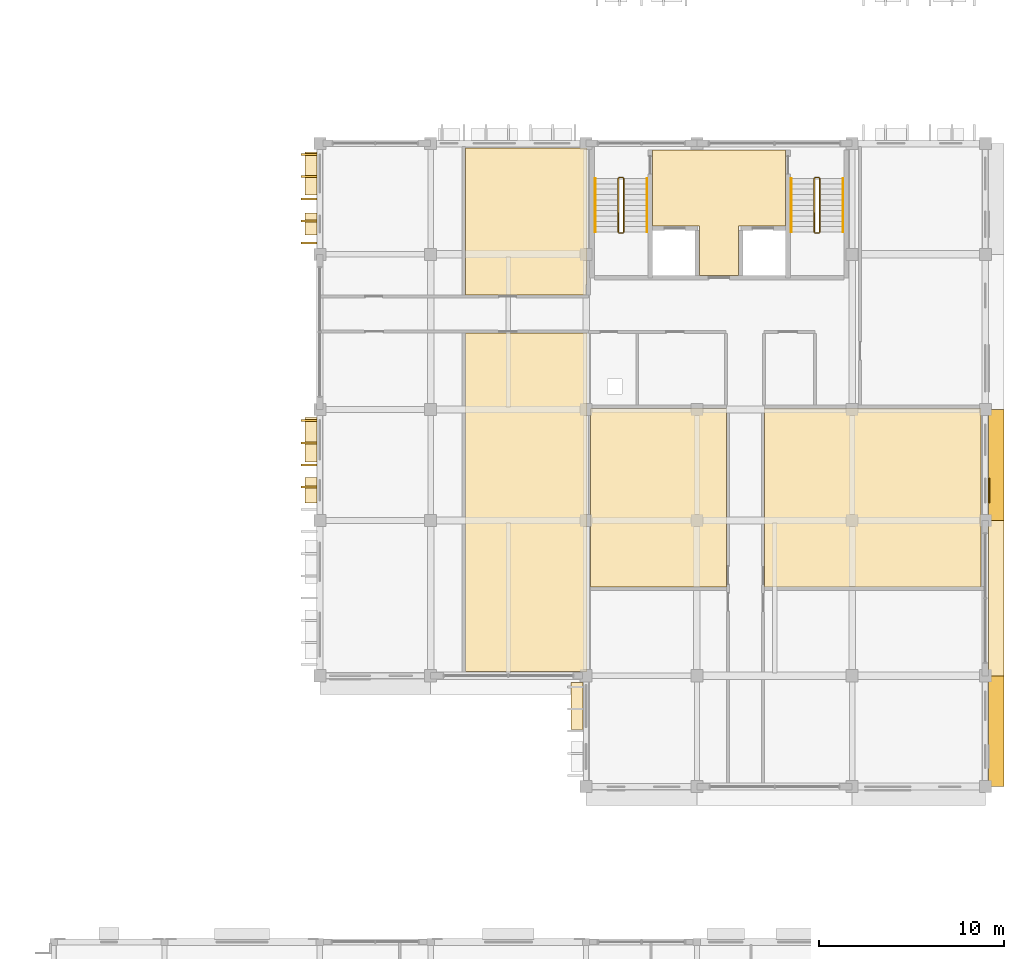
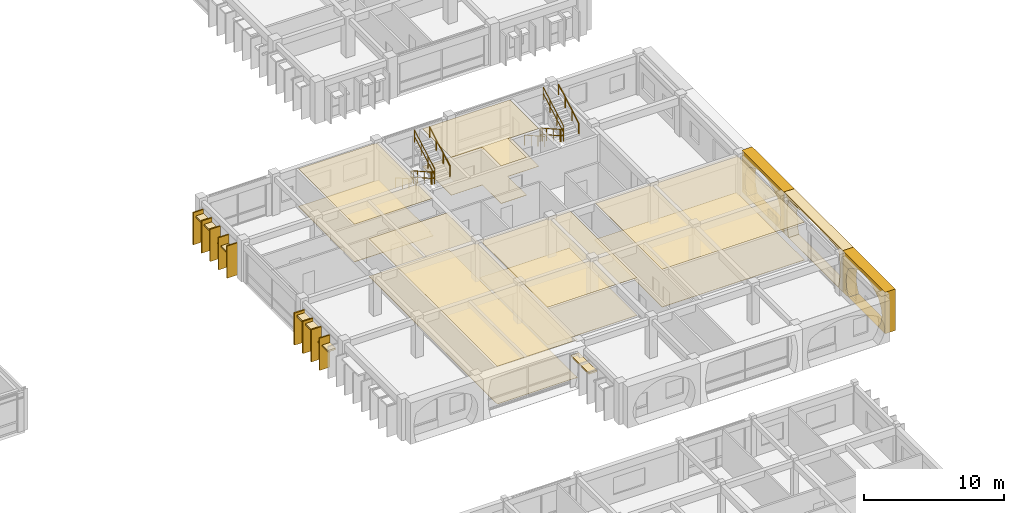
# One storey, part 85 of 88: 28 coverings, 12 railings.
"""IFC4 building model written with IfcOpenShell, lengths in metres."""

from ifc_helpers import new_model, si_unit, direction, frame, origin, origin_2d, place, context, subcontext, project, spatial, polyline, rectangle, outline, extrude, material, layer, layer_set, type_object, element, save


model = new_model("IFC4")

# Units and contexts
model_context = context("Model", 3, precision=1e-05, world=origin(), true_north=direction((0.0, 1.0)))
body_context = subcontext(model_context, "Body", "Model", "MODEL_VIEW")
ifc_project = project(units=[si_unit("LENGTHUNIT", "METRE"), si_unit("AREAUNIT", "SQUARE_METRE"), si_unit("VOLUMEUNIT", "CUBIC_METRE"), si_unit("PLANEANGLEUNIT", "RADIAN"), si_unit("MASSUNIT", "GRAM", prefix="KILO"), si_unit("THERMODYNAMICTEMPERATUREUNIT", "KELVIN")], contexts=[model_context])

# Site, building, storey
site_placement = place(None, origin())
site = spatial("IfcSite", under=ifc_project, at=site_placement, CompositionType="ELEMENT")
building_placement = place(site_placement, origin())
building = spatial("IfcBuilding", under=site, at=building_placement, Name="Thalorik Housing Commons", CompositionType="ELEMENT")
storey_placement = place(building_placement, frame((0.0, 0.0, 4.5)))
storey = spatial("IfcBuildingStorey", under=building, at=storey_placement, Name="L01", CompositionType="ELEMENT", Elevation=4.5)

# Coverings
ifc_material_1 = material(Name="Precast concrete C40/50", Category="concrete")
ifc_layer_1 = layer(ifc_material_1, 0.85009765625, Name="Precast concrete C40/50", Category="concrete")
ifc_layer_set_1 = layer_set([ifc_layer_1], Name="Precast concrete C40/50")
covering_type_1 = type_object("IfcCoveringType", Name="ARC-CLD-CUSH-850", PredefinedType="CLADDING", material=ifc_layer_set_1)
covering_1_placement = place(storey_placement, frame((174.5849609375, 40.199951171875, 0.0), z_axis=(0.0, 0.0, 1.0), x_axis=(0.0, 1.0, 0.0)))
element("IfcCovering", 1, at=covering_1_placement, inside=storey, type_object=covering_type_1, Name="L01 White Precast Curved Cushion Bay Frame 4588", PredefinedType="CLADDING", context=body_context, shape_type="SweptSolid", body=[
    extrude(outline(polyline([(-3.0, 0.0), (3.0, 0.0), (3.0, 3.60009765625), (-3.0, 3.60009765625), (-3.0, 0.0)]), holes=[polyline([(2.2099609375, 0.02490234375), (2.39892578125, 0.4375), (2.51220703125, 0.85009765625), (2.550048828125, 1.262451171875), (2.51220703125, 1.675048828125), (2.39892578125, 2.08740234375), (2.2099609375, 2.5), (1.85546875, 2.755615234375), (1.500732421875, 2.956298828125), (1.146240234375, 3.119140625), (0.791748046875, 3.239990234375), (0.43701171875, 3.314697265625), (0.08251953125, 3.340087890625), (-0.272216796875, 3.314697265625), (-0.626708984375, 3.239990234375), (-0.981201171875, 3.119140625), (-1.335693359375, 2.956298828125), (-1.6904296875, 2.755615234375), (-2.044921875, 2.5), (-2.32568359375, 2.08740234375), (-2.493896484375, 1.675048828125), (-2.550048828125, 1.262451171875), (-2.493896484375, 0.85009765625), (-2.32568359375, 0.4375), (-2.044921875, 0.02490234375), (2.2099609375, 0.02490234375)])]), frame((0.0, 0.425048828125, 0.0), z_axis=(0.0, -1.0, 0.0), x_axis=(1.0, 0.0, 0.0)), (0.0, 0.0, 1.0), 0.85009765625),
])
covering_2_placement = place(storey_placement, frame((174.5849609375, 47.39990234375, 0.0), z_axis=(0.0, 0.0, 1.0), x_axis=(0.0, 1.0, 0.0)))
element("IfcCovering", 2, at=covering_2_placement, inside=storey, type_object=covering_type_1, Name="L01 White Precast Curved Cushion Bay Frame 4590", PredefinedType="CLADDING", context=body_context, shape_type="SweptSolid", body=[
    extrude(outline(polyline([(-4.199951171875, 0.0), (4.199951171875, 0.0), (4.199951171875, 3.60009765625), (-4.199951171875, 3.60009765625), (-4.199951171875, 0.0)]), holes=[polyline([(3.550048828125, 0.02490234375), (3.687255859375, 0.57421875), (3.76953125, 1.123291015625), (3.797119140625, 1.672607421875), (3.76953125, 2.2216796875), (3.687255859375, 2.770751953125), (3.550048828125, 3.320068359375), (2.958251953125, 3.362548828125), (2.36669921875, 3.39599609375), (1.77490234375, 3.423095703125), (1.183349609375, 3.443359375), (0.591796875, 3.455810546875), (0.0, 3.4599609375), (-0.591796875, 3.455810546875), (-1.183349609375, 3.443359375), (-1.77490234375, 3.423095703125), (-2.36669921875, 3.39599609375), (-2.958251953125, 3.362548828125), (-3.550048828125, 3.320068359375), (-3.687255859375, 2.770751953125), (-3.76953125, 2.2216796875), (-3.797119140625, 1.672607421875), (-3.76953125, 1.123291015625), (-3.687255859375, 0.57421875), (-3.550048828125, 0.02490234375), (3.550048828125, 0.02490234375)])]), frame((0.0, 0.425048828125, 0.0), z_axis=(0.0, -1.0, 0.0), x_axis=(1.0, 0.0, 0.0)), (0.0, 0.0, 1.0), 0.85009765625),
])
covering_3_placement = place(storey_placement, frame((174.5849609375, 54.60009765625, 0.0), z_axis=(0.0, 0.0, 1.0), x_axis=(0.0, 1.0, 0.0)))
element("IfcCovering", 3, at=covering_3_placement, inside=storey, type_object=covering_type_1, Name="L01 White Precast Curved Cushion Bay Frame 4591", PredefinedType="CLADDING", context=body_context, shape_type="SweptSolid", body=[
    extrude(outline(polyline([(-3.0, 0.0), (3.0, 0.0), (3.0, 3.60009765625), (-3.0, 3.60009765625), (-3.0, 0.0)]), holes=[polyline([(2.260009765625, 0.02490234375), (2.421142578125, 0.4375), (2.517822265625, 0.85009765625), (2.550048828125, 1.262451171875), (2.517822265625, 1.675048828125), (2.421142578125, 2.08740234375), (2.260009765625, 2.5), (1.898193359375, 2.755615234375), (1.53662109375, 2.956298828125), (1.175048828125, 3.119140625), (0.813232421875, 3.239990234375), (0.45166015625, 3.314697265625), (0.090087890625, 3.340087890625), (-0.271728515625, 3.314697265625), (-0.63330078125, 3.239990234375), (-0.9951171875, 3.119140625), (-1.356689453125, 2.956298828125), (-1.71826171875, 2.755615234375), (-2.080078125, 2.5), (-2.341064453125, 2.08740234375), (-2.497802734375, 1.675048828125), (-2.550048828125, 1.262451171875), (-2.497802734375, 0.85009765625), (-2.341064453125, 0.4375), (-2.080078125, 0.02490234375), (2.260009765625, 0.02490234375)])]), frame((0.0, 0.425048828125, 0.0), z_axis=(0.0, -1.0, 0.0), x_axis=(1.0, 0.0, 0.0)), (0.0, 0.0, 1.0), 0.85009765625),
])
ifc_layer_2 = layer(ifc_material_1, 0.85009765625, Name="Precast concrete C40/50", Category="concrete")
ifc_layer_set_2 = layer_set([ifc_layer_2], Name="Precast concrete C40/50")
covering_type_2 = type_object("IfcCoveringType", Name="ARC-CLD-FIN-850", PredefinedType="CLADDING", material=ifc_layer_set_2)
for number, where, z_axis, x_axis, name in (
    (4, (137.4150390625, 71.39990234375, 0.0400390625), (0.0, 0.0, 1.0), (0.0, -1.0, 0.0), "L01 Courtyard Precast Vertical Brise-Soleil Fin 4550"),
    (5, (137.4150390625, 70.199951171875, 0.0400390625), (0.0, 0.0, 1.0), (0.0, -1.0, 0.0), "L01 Courtyard Precast Vertical Brise-Soleil Fin 4551"),
    (6, (137.4150390625, 69.0, 0.0400390625), (0.0, 0.0, 1.0), (0.0, -1.0, 0.0), "L01 Courtyard Precast Vertical Brise-Soleil Fin 4552"),
    (7, (137.4150390625, 67.800048828125, 0.0400390625), (0.0, 0.0, 1.0), (0.0, -1.0, 0.0), "L01 Courtyard Precast Vertical Brise-Soleil Fin 4553"),
    (8, (137.4150390625, 66.60009765625, 0.0400390625), (0.0, 0.0, 1.0), (0.0, -1.0, 0.0), "L01 Courtyard Precast Vertical Brise-Soleil Fin 4554"),
    (9, (137.4150390625, 57.0, 0.0400390625), (0.0, 0.0, 1.0), (0.0, -1.0, 0.0), "L01 Courtyard Precast Vertical Brise-Soleil Fin 4557"),
    (10, (137.4150390625, 55.800048828125, 0.0400390625), (0.0, 0.0, 1.0), (0.0, -1.0, 0.0), "L01 Courtyard Precast Vertical Brise-Soleil Fin 4558"),
    (11, (137.4150390625, 54.60009765625, 0.0400390625), (0.0, 0.0, 1.0), (0.0, -1.0, 0.0), "L01 Courtyard Precast Vertical Brise-Soleil Fin 4559"),
    (12, (137.4150390625, 53.39990234375, 0.0400390625), (0.0, 0.0, 1.0), (0.0, -1.0, 0.0), "L01 Courtyard Precast Vertical Brise-Soleil Fin 4560"),
):
    element("IfcCovering", number, at=place(storey_placement, frame(where, z_axis=z_axis, x_axis=x_axis)), inside=storey, type_object=covering_type_2, Name=name, PredefinedType="CLADDING", context=body_context, shape_type="SweptSolid", body=[
        extrude(rectangle(XDim=0.110107421875, YDim=0.85009765625, at=origin_2d()), origin(), (0.0, 0.0, 1.0), 2.794921875),
    ])
ifc_layer_3 = layer(ifc_material_1, 0.64990234375, Name="Precast concrete C40/50", Category="concrete")
ifc_layer_set_3 = layer_set([ifc_layer_3], Name="Precast concrete C40/50")
covering_type_3 = type_object("IfcCoveringType", Name="ARC-CLD-HOOD-650", PredefinedType="CLADDING", material=ifc_layer_set_3)
covering_4_placement = place(storey_placement, frame((137.514892578125, 70.3701171875, 2.33984375), z_axis=(0.0, 0.0, 1.0), x_axis=(0.0, -1.0, 0.0)))
element("IfcCovering", 13, at=covering_4_placement, inside=storey, type_object=covering_type_3, Name="L01 Courtyard Precast Window Sun-Hood 4555", PredefinedType="CLADDING", context=body_context, shape_type="SweptSolid", body=[
    extrude(rectangle(XDim=2.340087890625, YDim=0.64990234375, at=origin_2d()), origin(), (0.0, 0.0, 1.0), 0.139892578125),
])
covering_5_placement = place(storey_placement, frame((137.514892578125, 67.6298828125, 1.93994140625), z_axis=(0.0, 0.0, 1.0), x_axis=(0.0, -1.0, 0.0)))
element("IfcCovering", 14, at=covering_5_placement, inside=storey, type_object=covering_type_3, Name="L01 Courtyard Precast Window Sun-Hood 4556", PredefinedType="CLADDING", context=body_context, shape_type="SweptSolid", body=[
    extrude(rectangle(XDim=1.18994140625, YDim=0.64990234375, at=origin_2d()), origin(), (0.0, 0.0, 1.0), 0.139892578125),
])
covering_6_placement = place(storey_placement, frame((137.514892578125, 55.969970703125, 2.43994140625), z_axis=(0.0, 0.0, 1.0), x_axis=(0.0, -1.0, 0.0)))
element("IfcCovering", 15, at=covering_6_placement, inside=storey, type_object=covering_type_3, Name="L01 Courtyard Precast Window Sun-Hood 4562", PredefinedType="CLADDING", context=body_context, shape_type="SweptSolid", body=[
    extrude(rectangle(XDim=2.389892578125, YDim=0.64990234375, at=origin_2d()), origin(), (0.0, 0.0, 1.0), 0.139892578125),
])
covering_7_placement = place(storey_placement, frame((137.514892578125, 53.22998046875, 2.0400390625), z_axis=(0.0, 0.0, 1.0), x_axis=(0.0, -1.0, 0.0)))
element("IfcCovering", 16, at=covering_7_placement, inside=storey, type_object=covering_type_3, Name="L01 Courtyard Precast Window Sun-Hood 4563", PredefinedType="CLADDING", context=body_context, shape_type="SweptSolid", body=[
    extrude(rectangle(XDim=1.389892578125, YDim=0.64990234375, at=origin_2d()), origin(), (0.0, 0.0, 1.0), 0.139892578125),
])
covering_8_placement = place(storey_placement, frame((151.9150390625, 41.570068359375, 2.490234375), z_axis=(0.0, 0.0, 1.0), x_axis=(0.0, -1.0, 0.0)))
element("IfcCovering", 17, at=covering_8_placement, inside=storey, type_object=covering_type_3, Name="L01 Courtyard Precast Window Sun-Hood 4581", PredefinedType="CLADDING", context=body_context, shape_type="SweptSolid", body=[
    extrude(rectangle(XDim=2.5400390625, YDim=0.64990234375, at=origin_2d()), origin(), (0.0, 0.0, 1.0), 0.139892578125),
])
ifc_material_2 = material(Name="Mineral ochre architectural terracotta panel", Category="masonry")
ifc_layer_4 = layer(ifc_material_2, 0.06494140625, Name="Mineral ochre architectural terracotta panel", Category="masonry")
ifc_layer_set_4 = layer_set([ifc_layer_4], Name="Mineral ochre architectural terracotta panel")
covering_type_4 = type_object("IfcCoveringType", Name="ARC-CLD-YEL-65", PredefinedType="CLADDING", material=ifc_layer_set_4)
covering_9_placement = place(storey_placement, frame((174.197509765625, 53.22998046875, 0.0498046875), z_axis=(0.0, 0.0, 1.0), x_axis=(0.0, 1.0, 0.0)))
element("IfcCovering", 18, at=covering_9_placement, inside=storey, type_object=covering_type_4, Name="L01 De Stijl Recessed Window Spandrel 4592", PredefinedType="CLADDING", context=body_context, shape_type="SweptSolid", body=[
    extrude(rectangle(XDim=1.320068359375, YDim=0.06494140625, at=origin_2d()), origin(), (0.0, 0.0, 1.0), 0.699951171875),
])
ifc_material_3 = material(Name="Slatted timber acoustic hall baffle ceiling", Category="wood")
ifc_layer_5 = layer(ifc_material_3, 0.02197265625, Name="Slatted timber acoustic hall baffle ceiling", Category="wood")
ifc_layer_set_5 = layer_set([ifc_layer_5], Name="Slatted timber acoustic hall baffle ceiling")
covering_type_5 = type_object("IfcCoveringType", Name="ARC-COV-CEIL-03", PredefinedType="CEILING", material=ifc_layer_set_5)
covering_10_placement = place(storey_placement, frame((0.0, 0.0, 3.278076171875)))
element("IfcCovering", 19, at=covering_10_placement, inside=storey, type_object=covering_type_5, Name="L01 Shared Sewing Workshop Suspended Ceiling", PredefinedType="CEILING", context=body_context, shape_type="SweptSolid", body=[
    extrude(outline(polyline([(160.0, 57.659912109375), (152.639892578125, 57.659912109375), (152.639892578125, 47.989990234375), (160.0, 47.989990234375), (160.0, 57.659912109375)])), origin(), (0.0, 0.0, 1.0), 0.02197265625),
])
ifc_material_4 = material(Name="Moisture-resistant gypsum bathroom ceiling")
ifc_layer_6 = layer(ifc_material_4, 0.02490234375, Name="Moisture-resistant gypsum bathroom ceiling")
ifc_layer_set_6 = layer_set([ifc_layer_6], Name="Moisture-resistant gypsum bathroom ceiling")
covering_type_6 = type_object("IfcCoveringType", Name="ARC-COV-CEIL-04", PredefinedType="CEILING", material=ifc_layer_set_6)
covering_11_placement = place(storey_placement, frame((0.0, 0.0, 3.27490234375)))
element("IfcCovering", 20, at=covering_11_placement, inside=storey, type_object=covering_type_6, Name="L01 Block D Lift Lobby Suspended Ceiling", PredefinedType="CEILING", context=body_context, shape_type="SweptSolid", body=[
    extrude(outline(polyline([(158.550048828125, 64.85009765625), (160.64990234375, 64.85009765625), (160.650146484375, 67.52001953125), (163.199951171875, 67.52001953125), (163.199951171875, 71.64990234375), (156.0, 71.64990234375), (156.0, 67.52001953125), (158.550048828125, 67.52001953125), (158.550048828125, 64.85009765625)])), origin(), (0.0, 0.0, 1.0), 0.025146484375),
])
covering_12_placement = place(storey_placement, frame((0.0, 0.0, 3.27490234375)))
element("IfcCovering", 21, at=covering_12_placement, inside=storey, type_object=covering_type_6, Name="L01 Ceramics and Print Workshop Suspended Ceiling", PredefinedType="CEILING", context=body_context, shape_type="SweptSolid", body=[
    extrude(outline(polyline([(173.760009765625, 57.659912109375), (162.06005859375, 57.659912109375), (162.06005859375, 47.989990234375), (173.760009765625, 47.989990234375), (173.760009765625, 57.659912109375)])), origin(), (0.0, 0.0, 1.0), 0.025146484375),
])
ifc_material_5 = material(Name="Fire-rated calcium silicate corridor ceiling")
ifc_layer_7 = layer(ifc_material_5, 0.030029296875, Name="Fire-rated calcium silicate corridor ceiling")
ifc_layer_set_7 = layer_set([ifc_layer_7], Name="Fire-rated calcium silicate corridor ceiling")
covering_type_7 = type_object("IfcCoveringType", Name="ARC-COV-CEIL-05", PredefinedType="CEILING", material=ifc_layer_set_7)
covering_13_placement = place(storey_placement, frame((0.0, 0.0, 3.27001953125)))
element("IfcCovering", 22, at=covering_13_placement, inside=storey, type_object=covering_type_7, Name="L01 Shared Sewing Workshop Suspended Ceiling", PredefinedType="CEILING", context=body_context, shape_type="SweptSolid", body=[
    extrude(outline(polyline([(152.4599609375, 43.43994140625), (152.4599609375, 61.739990234375), (145.8701171875, 61.739990234375), (145.8701171875, 43.43994140625), (152.4599609375, 43.43994140625)])), origin(), (0.0, 0.0, 1.0), 0.030029296875),
])
ifc_material_6 = material(Name="Acoustic wood-wool nursery ceiling panel", Category="wood")
ifc_layer_8 = layer(ifc_material_6, 0.035888671875, Name="Acoustic wood-wool nursery ceiling panel", Category="wood")
ifc_layer_set_8 = layer_set([ifc_layer_8], Name="Acoustic wood-wool nursery ceiling panel")
covering_type_8 = type_object("IfcCoveringType", Name="ARC-COV-CEIL-06", PredefinedType="CEILING", material=ifc_layer_set_8)
covering_14_placement = place(storey_placement, frame((0.0, 0.0, 3.263916015625)))
element("IfcCovering", 23, at=covering_14_placement, inside=storey, type_object=covering_type_8, Name="L01 Ceramics and Print Workshop Suspended Ceiling", PredefinedType="CEILING", context=body_context, shape_type="SweptSolid", body=[
    extrude(outline(polyline([(145.8701171875, 63.800048828125), (152.385009765625, 63.800048828125), (152.38671875, 64.357177734375), (152.400146484375, 64.364990234375), (152.4599609375, 64.364990234375), (152.4599609375, 71.760009765625), (145.8701171875, 71.760009765625), (145.8701171875, 63.800048828125)])), origin(), (0.0, 0.0, 1.0), 0.0361328125),
])
ifc_material_7 = material(Name="Cushioned natural linoleum nursery playroom flooring")
ifc_layer_9 = layer(ifc_material_7, 0.02001953125, Name="Cushioned natural linoleum nursery playroom flooring")
ifc_layer_set_9 = layer_set([ifc_layer_9], Name="Cushioned natural linoleum nursery playroom flooring")
covering_type_9 = type_object("IfcCoveringType", Name="ARC-COV-FLR-03", PredefinedType="FLOORING", material=ifc_layer_set_9)
covering_15_placement = place(storey_placement, origin())
element("IfcCovering", 24, at=covering_15_placement, inside=storey, type_object=covering_type_9, Name="L01 Shared Sewing Workshop Flooring", PredefinedType="FLOORING", context=body_context, shape_type="SweptSolid", body=[
    extrude(outline(polyline([(160.0, 57.659912109375), (152.639892578125, 57.659912109375), (152.639892578125, 47.989990234375), (160.0, 47.989990234375), (160.0, 57.659912109375)])), origin(), (0.0, 0.0, 1.0), 0.02001953125),
])
ifc_material_8 = material(Name="Sprung Brazilian oak assembly hall timber floor", Category="wood")
ifc_layer_10 = layer(ifc_material_8, 0.02392578125, Name="Sprung Brazilian oak assembly hall timber floor", Category="wood")
ifc_layer_set_10 = layer_set([ifc_layer_10], Name="Sprung Brazilian oak assembly hall timber floor")
covering_type_10 = type_object("IfcCoveringType", Name="ARC-COV-FLR-04", PredefinedType="FLOORING", material=ifc_layer_set_10)
covering_16_placement = place(storey_placement, origin())
element("IfcCovering", 25, at=covering_16_placement, inside=storey, type_object=covering_type_10, Name="L01 Block D Lift Lobby Flooring", PredefinedType="FLOORING", context=body_context, shape_type="SweptSolid", body=[
    extrude(outline(polyline([(158.550048828125, 64.85009765625), (160.64990234375, 64.85009765625), (160.650146484375, 67.52001953125), (163.199951171875, 67.52001953125), (163.199951171875, 71.64990234375), (156.0, 71.64990234375), (156.0, 67.52001953125), (158.550048828125, 67.52001953125), (158.550048828125, 64.85009765625)])), origin(), (0.0, 0.0, 1.0), 0.02392578125),
])
covering_17_placement = place(storey_placement, origin())
element("IfcCovering", 26, at=covering_17_placement, inside=storey, type_object=covering_type_10, Name="L01 Ceramics and Print Workshop Flooring", PredefinedType="FLOORING", context=body_context, shape_type="SweptSolid", body=[
    extrude(outline(polyline([(173.760009765625, 57.659912109375), (162.06005859375, 57.659912109375), (162.06005859375, 47.989990234375), (173.760009765625, 47.989990234375), (173.760009765625, 57.659912109375)])), origin(), (0.0, 0.0, 1.0), 0.02392578125),
])
ifc_material_9 = material(Name="Heavy-duty porcelain metro vestibule tile")
ifc_layer_11 = layer(ifc_material_9, 0.028076171875, Name="Heavy-duty porcelain metro vestibule tile")
ifc_layer_set_11 = layer_set([ifc_layer_11], Name="Heavy-duty porcelain metro vestibule tile")
covering_type_11 = type_object("IfcCoveringType", Name="ARC-COV-FLR-05", PredefinedType="FLOORING", material=ifc_layer_set_11)
covering_18_placement = place(storey_placement, origin())
element("IfcCovering", 27, at=covering_18_placement, inside=storey, type_object=covering_type_11, Name="L01 Shared Sewing Workshop Flooring", PredefinedType="FLOORING", context=body_context, shape_type="SweptSolid", body=[
    extrude(outline(polyline([(152.4599609375, 43.43994140625), (152.4599609375, 61.739990234375), (145.8701171875, 61.739990234375), (145.8701171875, 43.43994140625), (152.4599609375, 43.43994140625)])), origin(), (0.0, 0.0, 1.0), 0.028076171875),
])
ifc_material_10 = material(Name="Epoxy-sealed concrete plant and bicycle hub finish", Category="concrete")
ifc_layer_12 = layer(ifc_material_10, 0.031982421875, Name="Epoxy-sealed concrete plant and bicycle hub finish", Category="concrete")
ifc_layer_set_12 = layer_set([ifc_layer_12], Name="Epoxy-sealed concrete plant and bicycle hub finish")
covering_type_12 = type_object("IfcCoveringType", Name="ARC-COV-FLR-06", PredefinedType="FLOORING", material=ifc_layer_set_12)
covering_19_placement = place(storey_placement, origin())
element("IfcCovering", 28, at=covering_19_placement, inside=storey, type_object=covering_type_12, Name="L01 Ceramics and Print Workshop Flooring", PredefinedType="FLOORING", context=body_context, shape_type="SweptSolid", body=[
    extrude(outline(polyline([(145.8701171875, 63.800048828125), (152.385009765625, 63.800048828125), (152.38671875, 64.357177734375), (152.400146484375, 64.364990234375), (152.4599609375, 64.364990234375), (152.4599609375, 71.760009765625), (145.8701171875, 71.760009765625), (145.8701171875, 63.800048828125)])), origin(), (0.0, 0.0, 1.0), 0.031982421875),
])

# Railings
ifc_material_11 = material(Name="Steel S355", Category="steel")
railing_type_1 = type_object("IfcRailingType", Name="ARC-RL-STR-GRD110", PredefinedType="GUARDRAIL", material=ifc_material_11)
railing_1_placement = place(storey_placement, frame((154.14990234375, 70.10009765625, 0.16357421875)))
element("IfcRailing", 29, at=railing_1_placement, inside=storey, type_object=railing_type_1, Name="L01 ST-D1 stair guard 1", PredefinedType="GUARDRAIL", context=body_context, shape_type="SweptSolid", body=[
    extrude(rectangle(XDim=0.048095703125, YDim=0.048095703125, at=origin_2d()), frame((0.0, 0.0, 1.076171875), z_axis=(0.0, -0.870914908162, 0.491433843708), x_axis=(1.0, 0.0, 0.0)), (0.0, 0.0, 1.0), 3.330078125),
    extrude(rectangle(XDim=0.048095703125, YDim=0.048095703125, at=origin_2d()), frame((0.0, 0.0, 0.52587890625), z_axis=(0.0, -0.870914908162, 0.491433843708), x_axis=(1.0, 0.0, 0.0)), (0.0, 0.0, 1.0), 3.330078125),
    extrude(rectangle(XDim=0.0419921875, YDim=0.0419921875, at=origin_2d()), origin(), (0.0, 0.0, 1.0), 1.052001953125),
    extrude(rectangle(XDim=0.0419921875, YDim=0.0419921875, at=origin_2d()), frame((0.0, -0.966796875, 0.54541015625)), (0.0, 0.0, 1.0), 1.052001953125),
    extrude(rectangle(XDim=0.0419921875, YDim=0.0419921875, at=origin_2d()), frame((0.0, -1.933349609375, 1.091064453125)), (0.0, 0.0, 1.0), 1.052001953125),
    extrude(rectangle(XDim=0.0419921875, YDim=0.0419921875, at=origin_2d()), frame((0.0, -2.900146484375, 1.636474609375)), (0.0, 0.0, 1.0), 1.052001953125),
])
railing_2_placement = place(storey_placement, frame((154.199951171875, 67.14990234375, 1.800048828125)))
element("IfcRailing", 30, at=railing_2_placement, inside=storey, type_object=railing_type_1, Name="L01 ST-D1 stair guard 2", PredefinedType="GUARDRAIL", context=body_context, shape_type="SweptSolid", body=[
    extrude(rectangle(XDim=0.048095703125, YDim=0.048095703125, at=origin_2d()), frame((0.0, 0.0, 1.076171875), z_axis=(1.0, 0.0, 0.0), x_axis=(0.0, 1.0, 0.0)), (0.0, 0.0, 1.0), 0.199951171875),
    extrude(rectangle(XDim=0.048095703125, YDim=0.048095703125, at=origin_2d()), frame((0.0, 0.0, 0.52587890625), z_axis=(1.0, 0.0, 0.0), x_axis=(0.0, 1.0, 0.0)), (0.0, 0.0, 1.0), 0.199951171875),
    extrude(rectangle(XDim=0.0419921875, YDim=0.0419921875, at=origin_2d()), origin(), (0.0, 0.0, 1.0), 1.052001953125),
    extrude(rectangle(XDim=0.0419921875, YDim=0.0419921875, at=origin_2d()), frame((0.199951171875, 0.0, 0.0)), (0.0, 0.0, 1.0), 1.052001953125),
])
railing_3_placement = place(storey_placement, frame((154.449951171875, 67.199951171875, 1.963623046875)))
element("IfcRailing", 31, at=railing_3_placement, inside=storey, type_object=railing_type_1, Name="L01 ST-D1 stair guard 3", PredefinedType="GUARDRAIL", context=body_context, shape_type="SweptSolid", body=[
    extrude(rectangle(XDim=0.048095703125, YDim=0.048095703125, at=origin_2d()), frame((0.0, 0.0, 1.076171875), z_axis=(0.0, 0.870914908162, 0.491433843708), x_axis=(-1.0, 0.0, 0.0)), (0.0, 0.0, 1.0), 3.330078125),
    extrude(rectangle(XDim=0.048095703125, YDim=0.048095703125, at=origin_2d()), frame((0.0, 0.0, 0.52587890625), z_axis=(0.0, 0.870914908162, 0.491433843708), x_axis=(-1.0, 0.0, 0.0)), (0.0, 0.0, 1.0), 3.330078125),
    extrude(rectangle(XDim=0.0419921875, YDim=0.0419921875, at=origin_2d()), origin(), (0.0, 0.0, 1.0), 1.052001953125),
    extrude(rectangle(XDim=0.0419921875, YDim=0.0419921875, at=origin_2d()), frame((0.0, 0.966796875, 0.54541015625)), (0.0, 0.0, 1.0), 1.052001953125),
    extrude(rectangle(XDim=0.0419921875, YDim=0.0419921875, at=origin_2d()), frame((0.0, 1.933349609375, 1.091064453125)), (0.0, 0.0, 1.0), 1.052001953125),
    extrude(rectangle(XDim=0.0419921875, YDim=0.0419921875, at=origin_2d()), frame((0.0, 2.900146484375, 1.636474609375)), (0.0, 0.0, 1.0), 1.052001953125),
])
railing_4_placement = place(storey_placement, frame((154.199951171875, 70.14990234375, 0.0)))
element("IfcRailing", 32, at=railing_4_placement, inside=storey, type_object=railing_type_1, Name="L01 ST-D1 stair guard 4", PredefinedType="GUARDRAIL", context=body_context, shape_type="SweptSolid", body=[
    extrude(rectangle(XDim=0.048095703125, YDim=0.048095703125, at=origin_2d()), frame((0.0, 0.0, 1.076171875), z_axis=(1.0, 0.0, 0.0), x_axis=(0.0, 1.0, 0.0)), (0.0, 0.0, 1.0), 0.199951171875),
    extrude(rectangle(XDim=0.048095703125, YDim=0.048095703125, at=origin_2d()), frame((0.0, 0.0, 0.52587890625), z_axis=(1.0, 0.0, 0.0), x_axis=(0.0, 1.0, 0.0)), (0.0, 0.0, 1.0), 0.199951171875),
    extrude(rectangle(XDim=0.0419921875, YDim=0.0419921875, at=origin_2d()), origin(), (0.0, 0.0, 1.0), 1.052001953125),
    extrude(rectangle(XDim=0.0419921875, YDim=0.0419921875, at=origin_2d()), frame((0.199951171875, 0.0, 0.0)), (0.0, 0.0, 1.0), 1.052001953125),
])
railing_5_placement = place(storey_placement, frame((164.75, 70.10009765625, 0.16357421875)))
element("IfcRailing", 33, at=railing_5_placement, inside=storey, type_object=railing_type_1, Name="L01 ST-D2 stair guard 1", PredefinedType="GUARDRAIL", context=body_context, shape_type="SweptSolid", body=[
    extrude(rectangle(XDim=0.048095703125, YDim=0.048095703125, at=origin_2d()), frame((0.0, 0.0, 1.076171875), z_axis=(0.0, -0.870914908162, 0.491433843708), x_axis=(1.0, 0.0, 0.0)), (0.0, 0.0, 1.0), 3.330078125),
    extrude(rectangle(XDim=0.048095703125, YDim=0.048095703125, at=origin_2d()), frame((0.0, 0.0, 0.52587890625), z_axis=(0.0, -0.870914908162, 0.491433843708), x_axis=(1.0, 0.0, 0.0)), (0.0, 0.0, 1.0), 3.330078125),
    extrude(rectangle(XDim=0.0419921875, YDim=0.0419921875, at=origin_2d()), origin(), (0.0, 0.0, 1.0), 1.052001953125),
    extrude(rectangle(XDim=0.0419921875, YDim=0.0419921875, at=origin_2d()), frame((0.0, -0.966796875, 0.54541015625)), (0.0, 0.0, 1.0), 1.052001953125),
    extrude(rectangle(XDim=0.0419921875, YDim=0.0419921875, at=origin_2d()), frame((0.0, -1.933349609375, 1.091064453125)), (0.0, 0.0, 1.0), 1.052001953125),
    extrude(rectangle(XDim=0.0419921875, YDim=0.0419921875, at=origin_2d()), frame((0.0, -2.900146484375, 1.636474609375)), (0.0, 0.0, 1.0), 1.052001953125),
])
railing_6_placement = place(storey_placement, frame((164.800048828125, 67.14990234375, 1.800048828125)))
element("IfcRailing", 34, at=railing_6_placement, inside=storey, type_object=railing_type_1, Name="L01 ST-D2 stair guard 2", PredefinedType="GUARDRAIL", context=body_context, shape_type="SweptSolid", body=[
    extrude(rectangle(XDim=0.048095703125, YDim=0.048095703125, at=origin_2d()), frame((0.0, 0.0, 1.076171875), z_axis=(1.0, 0.0, 0.0), x_axis=(0.0, 1.0, 0.0)), (0.0, 0.0, 1.0), 0.199951171875),
    extrude(rectangle(XDim=0.048095703125, YDim=0.048095703125, at=origin_2d()), frame((0.0, 0.0, 0.52587890625), z_axis=(1.0, 0.0, 0.0), x_axis=(0.0, 1.0, 0.0)), (0.0, 0.0, 1.0), 0.199951171875),
    extrude(rectangle(XDim=0.0419921875, YDim=0.0419921875, at=origin_2d()), origin(), (0.0, 0.0, 1.0), 1.052001953125),
    extrude(rectangle(XDim=0.0419921875, YDim=0.0419921875, at=origin_2d()), frame((0.199951171875, 0.0, 0.0)), (0.0, 0.0, 1.0), 1.052001953125),
])
railing_7_placement = place(storey_placement, frame((165.050048828125, 67.199951171875, 1.963623046875)))
element("IfcRailing", 35, at=railing_7_placement, inside=storey, type_object=railing_type_1, Name="L01 ST-D2 stair guard 3", PredefinedType="GUARDRAIL", context=body_context, shape_type="SweptSolid", body=[
    extrude(rectangle(XDim=0.048095703125, YDim=0.048095703125, at=origin_2d()), frame((0.0, 0.0, 1.076171875), z_axis=(0.0, 0.870914908162, 0.491433843708), x_axis=(-1.0, 0.0, 0.0)), (0.0, 0.0, 1.0), 3.330078125),
    extrude(rectangle(XDim=0.048095703125, YDim=0.048095703125, at=origin_2d()), frame((0.0, 0.0, 0.52587890625), z_axis=(0.0, 0.870914908162, 0.491433843708), x_axis=(-1.0, 0.0, 0.0)), (0.0, 0.0, 1.0), 3.330078125),
    extrude(rectangle(XDim=0.0419921875, YDim=0.0419921875, at=origin_2d()), origin(), (0.0, 0.0, 1.0), 1.052001953125),
    extrude(rectangle(XDim=0.0419921875, YDim=0.0419921875, at=origin_2d()), frame((0.0, 0.966796875, 0.54541015625)), (0.0, 0.0, 1.0), 1.052001953125),
    extrude(rectangle(XDim=0.0419921875, YDim=0.0419921875, at=origin_2d()), frame((0.0, 1.933349609375, 1.091064453125)), (0.0, 0.0, 1.0), 1.052001953125),
    extrude(rectangle(XDim=0.0419921875, YDim=0.0419921875, at=origin_2d()), frame((0.0, 2.900146484375, 1.636474609375)), (0.0, 0.0, 1.0), 1.052001953125),
])
railing_8_placement = place(storey_placement, frame((164.800048828125, 70.14990234375, 0.0)))
element("IfcRailing", 36, at=railing_8_placement, inside=storey, type_object=railing_type_1, Name="L01 ST-D2 stair guard 4", PredefinedType="GUARDRAIL", context=body_context, shape_type="SweptSolid", body=[
    extrude(rectangle(XDim=0.048095703125, YDim=0.048095703125, at=origin_2d()), frame((0.0, 0.0, 1.076171875), z_axis=(1.0, 0.0, 0.0), x_axis=(0.0, 1.0, 0.0)), (0.0, 0.0, 1.0), 0.199951171875),
    extrude(rectangle(XDim=0.048095703125, YDim=0.048095703125, at=origin_2d()), frame((0.0, 0.0, 0.52587890625), z_axis=(1.0, 0.0, 0.0), x_axis=(0.0, 1.0, 0.0)), (0.0, 0.0, 1.0), 0.199951171875),
    extrude(rectangle(XDim=0.0419921875, YDim=0.0419921875, at=origin_2d()), origin(), (0.0, 0.0, 1.0), 1.052001953125),
    extrude(rectangle(XDim=0.0419921875, YDim=0.0419921875, at=origin_2d()), frame((0.199951171875, 0.0, 0.0)), (0.0, 0.0, 1.0), 1.052001953125),
])
railing_type_2 = type_object("IfcRailingType", Name="ARC-RL-STR-HR092", PredefinedType="HANDRAIL", material=ifc_material_11)
railing_9_placement = place(storey_placement, frame((152.89990234375, 70.10009765625, 0.16357421875)))
element("IfcRailing", 37, at=railing_9_placement, inside=storey, type_object=railing_type_2, Name="L01 ST-D1 stair handrail 1", PredefinedType="HANDRAIL", context=body_context, shape_type="SweptSolid", body=[
    extrude(rectangle(XDim=0.048095703125, YDim=0.048095703125, at=origin_2d()), frame((0.0, 0.0, 0.89599609375), z_axis=(0.0, -0.870914908162, 0.491433843708), x_axis=(1.0, 0.0, 0.0)), (0.0, 0.0, 1.0), 3.330078125),
    extrude(rectangle(XDim=0.0419921875, YDim=0.0419921875, at=origin_2d()), origin(), (0.0, 0.0, 1.0), 0.871826171875),
    extrude(rectangle(XDim=0.0419921875, YDim=0.0419921875, at=origin_2d()), frame((0.0, -0.966796875, 0.54541015625)), (0.0, 0.0, 1.0), 0.871826171875),
    extrude(rectangle(XDim=0.0419921875, YDim=0.0419921875, at=origin_2d()), frame((0.0, -1.933349609375, 1.091064453125)), (0.0, 0.0, 1.0), 0.871826171875),
    extrude(rectangle(XDim=0.0419921875, YDim=0.0419921875, at=origin_2d()), frame((0.0, -2.900146484375, 1.636474609375)), (0.0, 0.0, 1.0), 0.871826171875),
])
railing_10_placement = place(storey_placement, frame((155.699951171875, 67.199951171875, 1.963623046875)))
element("IfcRailing", 38, at=railing_10_placement, inside=storey, type_object=railing_type_2, Name="L01 ST-D1 stair handrail 2", PredefinedType="HANDRAIL", context=body_context, shape_type="SweptSolid", body=[
    extrude(rectangle(XDim=0.048095703125, YDim=0.048095703125, at=origin_2d()), frame((0.0, 0.0, 0.89599609375), z_axis=(0.0, 0.870914908162, 0.491433843708), x_axis=(-1.0, 0.0, 0.0)), (0.0, 0.0, 1.0), 3.330078125),
    extrude(rectangle(XDim=0.0419921875, YDim=0.0419921875, at=origin_2d()), origin(), (0.0, 0.0, 1.0), 0.871826171875),
    extrude(rectangle(XDim=0.0419921875, YDim=0.0419921875, at=origin_2d()), frame((0.0, 0.966796875, 0.54541015625)), (0.0, 0.0, 1.0), 0.871826171875),
    extrude(rectangle(XDim=0.0419921875, YDim=0.0419921875, at=origin_2d()), frame((0.0, 1.933349609375, 1.091064453125)), (0.0, 0.0, 1.0), 0.871826171875),
    extrude(rectangle(XDim=0.0419921875, YDim=0.0419921875, at=origin_2d()), frame((0.0, 2.900146484375, 1.636474609375)), (0.0, 0.0, 1.0), 0.871826171875),
])
railing_11_placement = place(storey_placement, frame((163.5, 70.10009765625, 0.16357421875)))
element("IfcRailing", 39, at=railing_11_placement, inside=storey, type_object=railing_type_2, Name="L01 ST-D2 stair handrail 1", PredefinedType="HANDRAIL", context=body_context, shape_type="SweptSolid", body=[
    extrude(rectangle(XDim=0.048095703125, YDim=0.048095703125, at=origin_2d()), frame((0.0, 0.0, 0.89599609375), z_axis=(0.0, -0.870914908162, 0.491433843708), x_axis=(1.0, 0.0, 0.0)), (0.0, 0.0, 1.0), 3.330078125),
    extrude(rectangle(XDim=0.0419921875, YDim=0.0419921875, at=origin_2d()), origin(), (0.0, 0.0, 1.0), 0.871826171875),
    extrude(rectangle(XDim=0.0419921875, YDim=0.0419921875, at=origin_2d()), frame((0.0, -0.966796875, 0.54541015625)), (0.0, 0.0, 1.0), 0.871826171875),
    extrude(rectangle(XDim=0.0419921875, YDim=0.0419921875, at=origin_2d()), frame((0.0, -1.933349609375, 1.091064453125)), (0.0, 0.0, 1.0), 0.871826171875),
    extrude(rectangle(XDim=0.0419921875, YDim=0.0419921875, at=origin_2d()), frame((0.0, -2.900146484375, 1.636474609375)), (0.0, 0.0, 1.0), 0.871826171875),
])
railing_12_placement = place(storey_placement, frame((166.300048828125, 67.199951171875, 1.963623046875)))
element("IfcRailing", 40, at=railing_12_placement, inside=storey, type_object=railing_type_2, Name="L01 ST-D2 stair handrail 2", PredefinedType="HANDRAIL", context=body_context, shape_type="SweptSolid", body=[
    extrude(rectangle(XDim=0.048095703125, YDim=0.048095703125, at=origin_2d()), frame((0.0, 0.0, 0.89599609375), z_axis=(0.0, 0.870914908162, 0.491433843708), x_axis=(-1.0, 0.0, 0.0)), (0.0, 0.0, 1.0), 3.330078125),
    extrude(rectangle(XDim=0.0419921875, YDim=0.0419921875, at=origin_2d()), origin(), (0.0, 0.0, 1.0), 0.871826171875),
    extrude(rectangle(XDim=0.0419921875, YDim=0.0419921875, at=origin_2d()), frame((0.0, 0.966796875, 0.54541015625)), (0.0, 0.0, 1.0), 0.871826171875),
    extrude(rectangle(XDim=0.0419921875, YDim=0.0419921875, at=origin_2d()), frame((0.0, 1.933349609375, 1.091064453125)), (0.0, 0.0, 1.0), 0.871826171875),
    extrude(rectangle(XDim=0.0419921875, YDim=0.0419921875, at=origin_2d()), frame((0.0, 2.900146484375, 1.636474609375)), (0.0, 0.0, 1.0), 0.871826171875),
])

save(model, "model.ifc")
